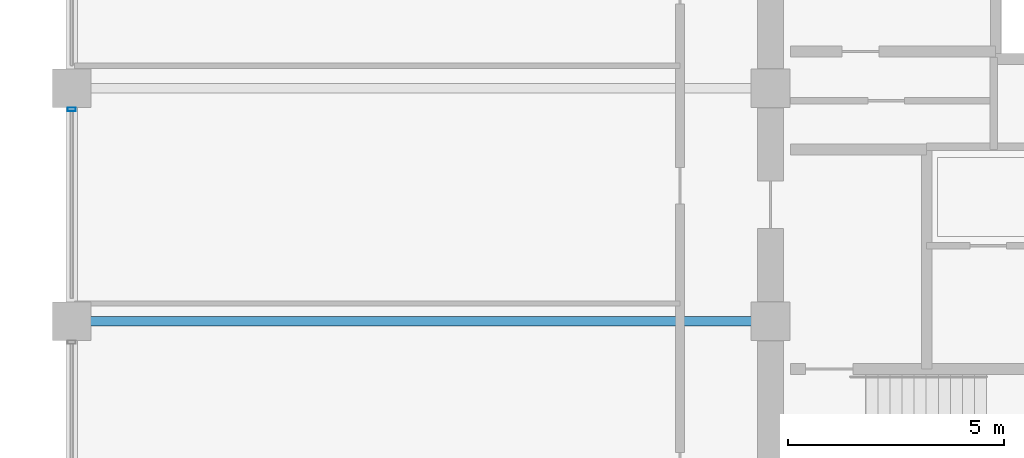
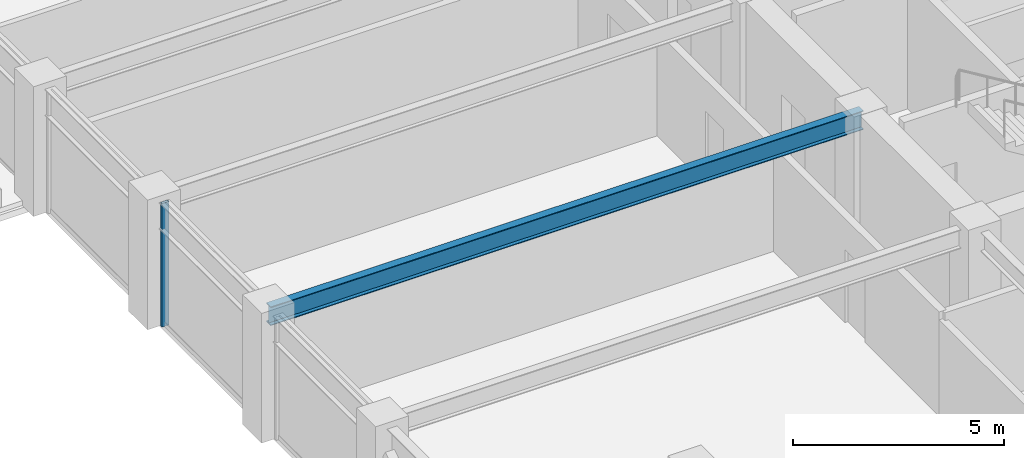
# One storey, part 8 of 31: 1 beam, 1 member, 1 element without a shape of its own.
"""IFC4 building model written with IfcOpenShell, lengths in metres."""

from ifc_helpers import new_model, si_unit, direction, frame, origin, origin_2d, place, context, subcontext, project, spatial, hollow_rectangle, i_section, extrude, material, layer, layer_set, material_profile, profile_set, type_object, element, aggregate, save


model = new_model("IFC4")

# Units and contexts
model_context = context("Model", 3, precision=1e-05, world=origin(), true_north=direction((0.0, 1.0)))
body_context = subcontext(model_context, "Body", "Model", "MODEL_VIEW")
ifc_project = project(units=[si_unit("LENGTHUNIT", "METRE"), si_unit("AREAUNIT", "SQUARE_METRE"), si_unit("VOLUMEUNIT", "CUBIC_METRE"), si_unit("PLANEANGLEUNIT", "RADIAN"), si_unit("MASSUNIT", "GRAM", prefix="KILO")], contexts=[model_context])

# Site, building, storey
site_placement = place(None, origin())
site = spatial("IfcSite", under=ifc_project, at=site_placement, CompositionType="ELEMENT")
building_placement = place(site_placement, origin())
building = spatial("IfcBuilding", under=site, at=building_placement, Name="Surkhivell Harbour Commons", CompositionType="ELEMENT")
storey_placement = place(building_placement, frame((0.0, 0.0, 193.5)))
storey = spatial("IfcBuildingStorey", under=building, at=storey_placement, Name="L50", CompositionType="ELEMENT", Elevation=193.5)

# Beam
ifc_material_1 = material(Name="Steel S355", Category="steel")
ifc_material_profile_1 = material_profile(ifc_material_1, i_section(OverallWidth=0.2119140625, OverallDepth=0.5439453125, WebThickness=0.0126953125, FlangeThickness=0.021240234375, at=origin_2d()), Name="UB533x210x122")
ifc_profile_set_1 = profile_set([ifc_material_profile_1], Name="Steel S355")
beam_type = type_object("IfcBeamType", Name="BM-GRD-533A", PredefinedType="BEAM", material=ifc_profile_set_1)
beam_placement = place(storey_placement, frame((-27.0, -5.39990234375, 3.298095703125), z_axis=(1.0, 0.0, 0.0), x_axis=(0.0, 1.0, 0.0)))
element("IfcBeam", 1, at=beam_placement, inside=storey, type_object=beam_type, Name="L50 Floor Girder (-27.0,-5.4)", PredefinedType="BEAM", context=body_context, shape_type="SweptSolid", body=[
    extrude(i_section(OverallWidth=0.2119140625, OverallDepth=0.5439453125, WebThickness=0.0126953125, FlangeThickness=0.021240234375, at=origin_2d()), origin(), (0.0, 0.0, 1.0), 16.199951171875),
])

# Curtain wall, member
ifc_material_2 = material(Name="Anodised pale-metal aluminium and insulated glazing", Category="aluminium")
ifc_layer = layer(ifc_material_2, 0.18994140625)
ifc_layer_set = layer_set([ifc_layer], Name="Anodised pale-metal aluminium and insulated glazing")
curtain_wall_type = type_object("IfcCurtainWallType", Name="CW-SYS-Z3", PredefinedType="NOTDEFINED", material=ifc_layer_set)
curtain_wall_placement = place(storey_placement, origin())
curtain_wall = element("IfcCurtainWall", 2, at=curtain_wall_placement, inside=storey, type_object=curtain_wall_type, Name="L50 Curtain Wall CW-L50-E12S1", PredefinedType="NOTDEFINED")
ifc_material_3 = material(Name="Anodised pale-metal aluminium alloy 6063-T6", Category="aluminium")
ifc_material_profile_2 = material_profile(ifc_material_3, hollow_rectangle(XDim=0.074951171875, YDim=0.18994140625, WallThickness=0.00390625, at=origin_2d()), Name="ALU-MULL-75x190")
ifc_profile_set_2 = profile_set([ifc_material_profile_2], Name="Anodised pale-metal aluminium alloy 6063-T6")
member_type = type_object("IfcMemberType", Name="CWM-190", PredefinedType="MULLION", material=ifc_profile_set_2)
member_placement = place(storey_placement, frame((-27.0, -0.489501953125, 0.0), z_axis=(0.0, 0.0, 1.0), x_axis=(0.0, -1.0, 0.0)))
member = element("IfcMember", 3, at=member_placement, type_object=member_type, Name="CW-Z3 mullion 5", PredefinedType="MULLION", context=body_context, shape_type="SweptSolid", body=[
    extrude(hollow_rectangle(XDim=0.074951171875, YDim=0.18994140625, WallThickness=0.00390625, at=origin_2d()), origin(), (0.0, 0.0, 1.0), 3.570068359375),
])
aggregate(curtain_wall, [member])

save(model, "model.ifc")
